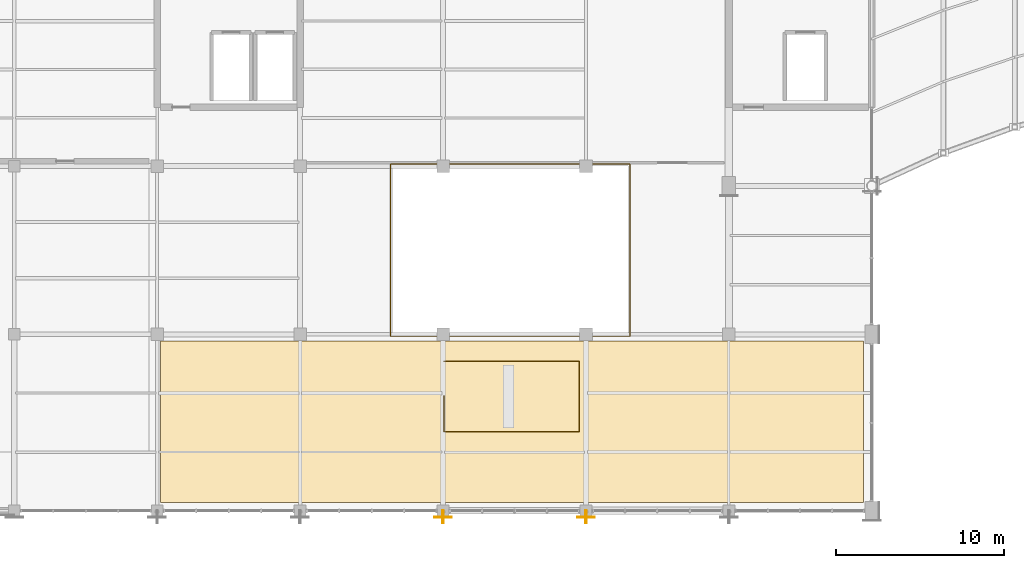
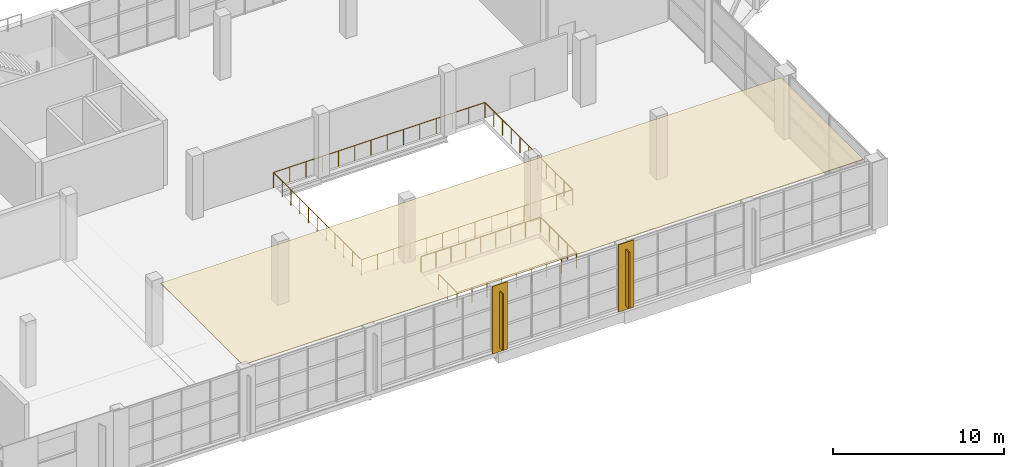
# One storey, part 90 of 101: 3 coverings, 2 railings, 2 shading devices.
"""IFC4 building model written with IfcOpenShell, lengths in metres."""

from ifc_helpers import new_model, si_unit, direction, frame, origin, origin_2d, place, context, subcontext, project, spatial, polyline, rectangle, hollow_rectangle, circle, outline, extrude, material, layer, layer_set, material_profile, profile_set, type_object, element, save


model = new_model("IFC4")

# Units and contexts
model_context = context("Model", 3, precision=1e-05, world=origin(), true_north=direction((0.0, 1.0)))
body_context = subcontext(model_context, "Body", "Model", "MODEL_VIEW")
ifc_project = project(units=[si_unit("LENGTHUNIT", "METRE"), si_unit("AREAUNIT", "SQUARE_METRE"), si_unit("VOLUMEUNIT", "CUBIC_METRE"), si_unit("PLANEANGLEUNIT", "RADIAN"), si_unit("MASSUNIT", "GRAM", prefix="KILO")], contexts=[model_context])

# Site, building, storey
site_placement = place(None, origin())
site = spatial("IfcSite", under=ifc_project, at=site_placement, CompositionType="ELEMENT")
building_placement = place(site_placement, origin())
building = spatial("IfcBuilding", under=site, at=building_placement, Name="Solvikara Media Centre", CompositionType="ELEMENT")
storey_placement = place(building_placement, frame((0.0, 0.0, 10.199951171875)))
storey = spatial("IfcBuildingStorey", under=building, at=storey_placement, Name="L02", CompositionType="ELEMENT", Elevation=10.199951171875)

# Coverings
ifc_material_1 = material(Name="Perforated acoustic gypsum ceiling board")
ifc_layer_1 = layer(ifc_material_1, 0.0400390625)
ifc_layer_set_1 = layer_set([ifc_layer_1], Name="Perforated acoustic gypsum ceiling board")
covering_type_1 = type_object("IfcCoveringType", Name="CV-01", PredefinedType="CEILING", material=ifc_layer_set_1)
covering_placement = place(storey_placement, frame((0.0, 0.0, 4.35009765625)))
element("IfcCovering", 1, at=covering_placement, inside=storey, type_object=covering_type_1, Name="CLG-036", PredefinedType="CEILING", context=body_context, shape_type="SweptSolid", body=[
    extrude(outline(polyline([(34.199951171875, 0.5), (76.0, 0.5), (76.0, 10.10009765625), (34.199951171875, 10.10009765625), (34.199951171875, 0.5)])), origin(), (0.0, 0.0, 1.0), 0.0400390625),
])
ifc_material_2 = material(Name="GFRC white mineral architectural rainscreen panel")
ifc_layer_2 = layer(ifc_material_2, 0.050048828125)
ifc_layer_set_2 = layer_set([ifc_layer_2], Name="GFRC white mineral architectural rainscreen panel")
covering_type_2 = type_object("IfcCoveringType", Name="CV-04", PredefinedType="CLADDING", material=ifc_layer_set_2)
for number, where, z_axis, x_axis, name in (
    (2, (51.0, -0.375, 0.0), (0.0, 0.0, 1.0), (1.0, 0.0, 0.0), "PIL-L02-114"),
    (3, (59.5, -0.375, 0.0), (0.0, 0.0, 1.0), (1.0, 0.0, 0.0), "PIL-L02-129"),
):
    element("IfcCovering", number, at=place(storey_placement, frame(where, z_axis=z_axis, x_axis=x_axis)), inside=storey, type_object=covering_type_2, Name=name, PredefinedType="CLADDING", context=body_context, shape_type="SweptSolid", body=[
        extrude(rectangle(XDim=1.0400390625, YDim=0.050048828125, at=origin_2d()), origin(), (0.0, 0.0, 1.0), 4.800048828125),
    ])

# Railings
ifc_material_3 = material(Name="Steel S355JR", Category="steel")
railing_type = type_object("IfcRailingType", Name="GR-02", PredefinedType="BALUSTRADE", material=ifc_material_3)
railing_1_placement = place(storey_placement, frame((47.8798828125, 10.3798828125, 0.0)))
element("IfcRailing", 4, at=railing_1_placement, inside=storey, type_object=railing_type, Name="GR-ATR-L02", PredefinedType="BALUSTRADE", context=body_context, shape_type="SweptSolid", body=[
    extrude(circle(Radius=0.02392578125, at=origin_2d()), frame((0.0, 0.0, 1.09619140625), z_axis=(1.0, 0.0, 0.0), x_axis=(0.0, 1.0, 0.0)), (0.0, 0.0, 1.0), 14.240234375),
    extrude(circle(Radius=0.02392578125, at=origin_2d()), frame((14.240234375, 0.0, 1.09619140625), z_axis=(0.0, 1.0, 0.0), x_axis=(-1.0, 0.0, 0.0)), (0.0, 0.0, 1.0), 10.240234375),
    extrude(circle(Radius=0.02392578125, at=origin_2d()), frame((14.240234375, 10.240234375, 1.09619140625), z_axis=(-1.0, 0.0, 0.0), x_axis=(0.0, -1.0, 0.0)), (0.0, 0.0, 1.0), 14.240234375),
    extrude(circle(Radius=0.02392578125, at=origin_2d()), frame((0.0, 10.240234375, 1.09619140625), z_axis=(0.0, -1.0, 0.0), x_axis=(1.0, 0.0, 0.0)), (0.0, 0.0, 1.0), 10.240234375),
    extrude(circle(Radius=0.02099609375, at=origin_2d()), origin(), (0.0, 0.0, 1.0), 1.072021484375),
    extrude(circle(Radius=0.02099609375, at=origin_2d()), frame((1.095458984375, 0.0, 0.0)), (0.0, 0.0, 1.0), 1.072021484375),
    extrude(circle(Radius=0.02099609375, at=origin_2d()), frame((2.19091796875, 0.0, 0.0)), (0.0, 0.0, 1.0), 1.072021484375),
    extrude(circle(Radius=0.02099609375, at=origin_2d()), frame((3.2861328125, 0.0, 0.0)), (0.0, 0.0, 1.0), 1.072021484375),
    extrude(circle(Radius=0.02099609375, at=origin_2d()), frame((4.381591796875, 0.0, 0.0)), (0.0, 0.0, 1.0), 1.072021484375),
    extrude(circle(Radius=0.02099609375, at=origin_2d()), frame((5.47705078125, 0.0, 0.0)), (0.0, 0.0, 1.0), 1.072021484375),
    extrude(circle(Radius=0.02099609375, at=origin_2d()), frame((6.572509765625, 0.0, 0.0)), (0.0, 0.0, 1.0), 1.072021484375),
    extrude(circle(Radius=0.02099609375, at=origin_2d()), frame((7.667724609375, 0.0, 0.0)), (0.0, 0.0, 1.0), 1.072021484375),
    extrude(circle(Radius=0.02099609375, at=origin_2d()), frame((8.76318359375, 0.0, 0.0)), (0.0, 0.0, 1.0), 1.072021484375),
    extrude(circle(Radius=0.02099609375, at=origin_2d()), frame((9.858642578125, 0.0, 0.0)), (0.0, 0.0, 1.0), 1.072021484375),
    extrude(circle(Radius=0.02099609375, at=origin_2d()), frame((10.9541015625, 0.0, 0.0)), (0.0, 0.0, 1.0), 1.072021484375),
    extrude(circle(Radius=0.02099609375, at=origin_2d()), frame((12.04931640625, 0.0, 0.0)), (0.0, 0.0, 1.0), 1.072021484375),
    extrude(circle(Radius=0.02099609375, at=origin_2d()), frame((13.144775390625, 0.0, 0.0)), (0.0, 0.0, 1.0), 1.072021484375),
    extrude(circle(Radius=0.02099609375, at=origin_2d()), frame((14.240234375, 0.0, 0.0)), (0.0, 0.0, 1.0), 1.072021484375),
    extrude(circle(Radius=0.02099609375, at=origin_2d()), frame((14.240234375, 1.02392578125, 0.0)), (0.0, 0.0, 1.0), 1.072021484375),
    extrude(circle(Radius=0.02099609375, at=origin_2d()), frame((14.240234375, 2.048095703125, 0.0)), (0.0, 0.0, 1.0), 1.072021484375),
    extrude(circle(Radius=0.02099609375, at=origin_2d()), frame((14.240234375, 3.072021484375, 0.0)), (0.0, 0.0, 1.0), 1.072021484375),
    extrude(circle(Radius=0.02099609375, at=origin_2d()), frame((14.240234375, 4.09619140625, 0.0)), (0.0, 0.0, 1.0), 1.072021484375),
    extrude(circle(Radius=0.02099609375, at=origin_2d()), frame((14.240234375, 5.1201171875, 0.0)), (0.0, 0.0, 1.0), 1.072021484375),
    extrude(circle(Radius=0.02099609375, at=origin_2d()), frame((14.240234375, 6.14404296875, 0.0)), (0.0, 0.0, 1.0), 1.072021484375),
    extrude(circle(Radius=0.02099609375, at=origin_2d()), frame((14.240234375, 7.168212890625, 0.0)), (0.0, 0.0, 1.0), 1.072021484375),
    extrude(circle(Radius=0.02099609375, at=origin_2d()), frame((14.240234375, 8.192138671875, 0.0)), (0.0, 0.0, 1.0), 1.072021484375),
    extrude(circle(Radius=0.02099609375, at=origin_2d()), frame((14.240234375, 9.21630859375, 0.0)), (0.0, 0.0, 1.0), 1.072021484375),
    extrude(circle(Radius=0.02099609375, at=origin_2d()), frame((14.240234375, 10.240234375, 0.0)), (0.0, 0.0, 1.0), 1.072021484375),
    extrude(circle(Radius=0.02099609375, at=origin_2d()), frame((13.144775390625, 10.240234375, 0.0)), (0.0, 0.0, 1.0), 1.072021484375),
    extrude(circle(Radius=0.02099609375, at=origin_2d()), frame((12.04931640625, 10.240234375, 0.0)), (0.0, 0.0, 1.0), 1.072021484375),
    extrude(circle(Radius=0.02099609375, at=origin_2d()), frame((10.9541015625, 10.240234375, 0.0)), (0.0, 0.0, 1.0), 1.072021484375),
    extrude(circle(Radius=0.02099609375, at=origin_2d()), frame((9.858642578125, 10.240234375, 0.0)), (0.0, 0.0, 1.0), 1.072021484375),
    extrude(circle(Radius=0.02099609375, at=origin_2d()), frame((8.76318359375, 10.240234375, 0.0)), (0.0, 0.0, 1.0), 1.072021484375),
    extrude(circle(Radius=0.02099609375, at=origin_2d()), frame((7.667724609375, 10.240234375, 0.0)), (0.0, 0.0, 1.0), 1.072021484375),
    extrude(circle(Radius=0.02099609375, at=origin_2d()), frame((6.572509765625, 10.240234375, 0.0)), (0.0, 0.0, 1.0), 1.072021484375),
    extrude(circle(Radius=0.02099609375, at=origin_2d()), frame((5.47705078125, 10.240234375, 0.0)), (0.0, 0.0, 1.0), 1.072021484375),
    extrude(circle(Radius=0.02099609375, at=origin_2d()), frame((4.381591796875, 10.240234375, 0.0)), (0.0, 0.0, 1.0), 1.072021484375),
    extrude(circle(Radius=0.02099609375, at=origin_2d()), frame((3.2861328125, 10.240234375, 0.0)), (0.0, 0.0, 1.0), 1.072021484375),
    extrude(circle(Radius=0.02099609375, at=origin_2d()), frame((2.19091796875, 10.240234375, 0.0)), (0.0, 0.0, 1.0), 1.072021484375),
    extrude(circle(Radius=0.02099609375, at=origin_2d()), frame((1.095458984375, 10.240234375, 0.0)), (0.0, 0.0, 1.0), 1.072021484375),
    extrude(circle(Radius=0.02099609375, at=origin_2d()), frame((0.0, 10.240234375, 0.0)), (0.0, 0.0, 1.0), 1.072021484375),
    extrude(circle(Radius=0.02099609375, at=origin_2d()), frame((0.0, 9.21630859375, 0.0)), (0.0, 0.0, 1.0), 1.072021484375),
    extrude(circle(Radius=0.02099609375, at=origin_2d()), frame((0.0, 8.192138671875, 0.0)), (0.0, 0.0, 1.0), 1.072021484375),
    extrude(circle(Radius=0.02099609375, at=origin_2d()), frame((0.0, 7.168212890625, 0.0)), (0.0, 0.0, 1.0), 1.072021484375),
    extrude(circle(Radius=0.02099609375, at=origin_2d()), frame((0.0, 6.14404296875, 0.0)), (0.0, 0.0, 1.0), 1.072021484375),
    extrude(circle(Radius=0.02099609375, at=origin_2d()), frame((0.0, 5.1201171875, 0.0)), (0.0, 0.0, 1.0), 1.072021484375),
    extrude(circle(Radius=0.02099609375, at=origin_2d()), frame((0.0, 4.09619140625, 0.0)), (0.0, 0.0, 1.0), 1.072021484375),
    extrude(circle(Radius=0.02099609375, at=origin_2d()), frame((0.0, 3.072021484375, 0.0)), (0.0, 0.0, 1.0), 1.072021484375),
    extrude(circle(Radius=0.02099609375, at=origin_2d()), frame((0.0, 2.048095703125, 0.0)), (0.0, 0.0, 1.0), 1.072021484375),
    extrude(circle(Radius=0.02099609375, at=origin_2d()), frame((0.0, 1.02392578125, 0.0)), (0.0, 0.0, 1.0), 1.072021484375),
])
railing_2_placement = place(storey_placement, frame((51.050048828125, 6.85009765625, 0.0)))
element("IfcRailing", 5, at=railing_2_placement, inside=storey, type_object=railing_type, Name="GR-FOYW-L02", PredefinedType="BALUSTRADE", context=body_context, shape_type="SweptSolid", body=[
    extrude(circle(Radius=0.02392578125, at=origin_2d()), frame((0.0, 0.0, 1.09619140625), z_axis=(0.0, -1.0, 0.0), x_axis=(1.0, 0.0, 0.0)), (0.0, 0.0, 1.0), 2.150146484375),
    extrude(circle(Radius=0.02392578125, at=origin_2d()), frame((0.0, -2.150146484375, 1.09619140625), z_axis=(1.0, 0.0, 0.0), x_axis=(0.0, 1.0, 0.0)), (0.0, 0.0, 1.0), 8.050048828125),
    extrude(circle(Radius=0.02392578125, at=origin_2d()), frame((8.050048828125, -2.150146484375, 1.09619140625), z_axis=(0.0, 1.0, 0.0), x_axis=(-1.0, 0.0, 0.0)), (0.0, 0.0, 1.0), 4.199951171875),
    extrude(circle(Radius=0.02392578125, at=origin_2d()), frame((8.050048828125, 2.0498046875, 1.09619140625), z_axis=(-1.0, 0.0, 0.0), x_axis=(0.0, -1.0, 0.0)), (0.0, 0.0, 1.0), 8.050048828125),
    extrude(circle(Radius=0.02099609375, at=origin_2d()), origin(), (0.0, 0.0, 1.0), 1.072021484375),
    extrude(circle(Radius=0.02099609375, at=origin_2d()), frame((0.0, -1.0751953125, 0.0)), (0.0, 0.0, 1.0), 1.072021484375),
    extrude(circle(Radius=0.02099609375, at=origin_2d()), frame((0.0, -2.150146484375, 0.0)), (0.0, 0.0, 1.0), 1.072021484375),
    extrude(circle(Radius=0.02099609375, at=origin_2d()), frame((1.00634765625, -2.150146484375, 0.0)), (0.0, 0.0, 1.0), 1.072021484375),
    extrude(circle(Radius=0.02099609375, at=origin_2d()), frame((2.012451171875, -2.150146484375, 0.0)), (0.0, 0.0, 1.0), 1.072021484375),
    extrude(circle(Radius=0.02099609375, at=origin_2d()), frame((3.018798828125, -2.150146484375, 0.0)), (0.0, 0.0, 1.0), 1.072021484375),
    extrude(circle(Radius=0.02099609375, at=origin_2d()), frame((4.02490234375, -2.150146484375, 0.0)), (0.0, 0.0, 1.0), 1.072021484375),
    extrude(circle(Radius=0.02099609375, at=origin_2d()), frame((5.03125, -2.150146484375, 0.0)), (0.0, 0.0, 1.0), 1.072021484375),
    extrude(circle(Radius=0.02099609375, at=origin_2d()), frame((6.03759765625, -2.150146484375, 0.0)), (0.0, 0.0, 1.0), 1.072021484375),
    extrude(circle(Radius=0.02099609375, at=origin_2d()), frame((7.043701171875, -2.150146484375, 0.0)), (0.0, 0.0, 1.0), 1.072021484375),
    extrude(circle(Radius=0.02099609375, at=origin_2d()), frame((8.050048828125, -2.150146484375, 0.0)), (0.0, 0.0, 1.0), 1.072021484375),
    extrude(circle(Radius=0.02099609375, at=origin_2d()), frame((8.050048828125, -1.10009765625, 0.0)), (0.0, 0.0, 1.0), 1.072021484375),
    extrude(circle(Radius=0.02099609375, at=origin_2d()), frame((8.050048828125, -0.05029296875, 0.0)), (0.0, 0.0, 1.0), 1.072021484375),
    extrude(circle(Radius=0.02099609375, at=origin_2d()), frame((8.050048828125, 0.999755859375, 0.0)), (0.0, 0.0, 1.0), 1.072021484375),
    extrude(circle(Radius=0.02099609375, at=origin_2d()), frame((8.050048828125, 2.0498046875, 0.0)), (0.0, 0.0, 1.0), 1.072021484375),
    extrude(circle(Radius=0.02099609375, at=origin_2d()), frame((7.043701171875, 2.0498046875, 0.0)), (0.0, 0.0, 1.0), 1.072021484375),
    extrude(circle(Radius=0.02099609375, at=origin_2d()), frame((6.03759765625, 2.0498046875, 0.0)), (0.0, 0.0, 1.0), 1.072021484375),
    extrude(circle(Radius=0.02099609375, at=origin_2d()), frame((5.03125, 2.0498046875, 0.0)), (0.0, 0.0, 1.0), 1.072021484375),
    extrude(circle(Radius=0.02099609375, at=origin_2d()), frame((4.02490234375, 2.0498046875, 0.0)), (0.0, 0.0, 1.0), 1.072021484375),
    extrude(circle(Radius=0.02099609375, at=origin_2d()), frame((3.018798828125, 2.0498046875, 0.0)), (0.0, 0.0, 1.0), 1.072021484375),
    extrude(circle(Radius=0.02099609375, at=origin_2d()), frame((2.012451171875, 2.0498046875, 0.0)), (0.0, 0.0, 1.0), 1.072021484375),
    extrude(circle(Radius=0.02099609375, at=origin_2d()), frame((1.00634765625, 2.0498046875, 0.0)), (0.0, 0.0, 1.0), 1.072021484375),
    extrude(circle(Radius=0.02099609375, at=origin_2d()), frame((0.0, 2.0498046875, 0.0)), (0.0, 0.0, 1.0), 1.072021484375),
])

# Shading devices
ifc_material_4 = material(Name="Anodised aluminium EN AW-6063", Category="aluminium")
ifc_material_profile = material_profile(ifc_material_4, hollow_rectangle(XDim=0.080078125, YDim=0.800048828125, WallThickness=0.00390625, at=origin_2d()), Name="ALU-FIN 80x800x4")
ifc_profile_set = profile_set([ifc_material_profile], Name="Anodised aluminium EN AW-6063")
shading_device_type = type_object("IfcShadingDeviceType", Name="SH-01", PredefinedType="USERDEFINED", material=ifc_profile_set)
for number, where, z_axis, x_axis, name in (
    (6, (51.0, -0.35009765625, 0.300048828125), (0.0, 0.0, 1.0), (1.0, 0.0, 0.0), "FIN-L02-008"),
    (7, (59.5, -0.35009765625, 0.300048828125), (0.0, 0.0, 1.0), (1.0, 0.0, 0.0), "FIN-L02-009"),
):
    element("IfcShadingDevice", number, at=place(storey_placement, frame(where, z_axis=z_axis, x_axis=x_axis)), inside=storey, type_object=shading_device_type, Name=name, ObjectType="FIN", PredefinedType="USERDEFINED", context=body_context, shape_type="SweptSolid", body=[
        extrude(hollow_rectangle(XDim=0.080078125, YDim=0.800048828125, WallThickness=0.00390625, at=origin_2d()), origin(), (0.0, 0.0, 1.0), 4.0),
    ])

save(model, "model.ifc")
